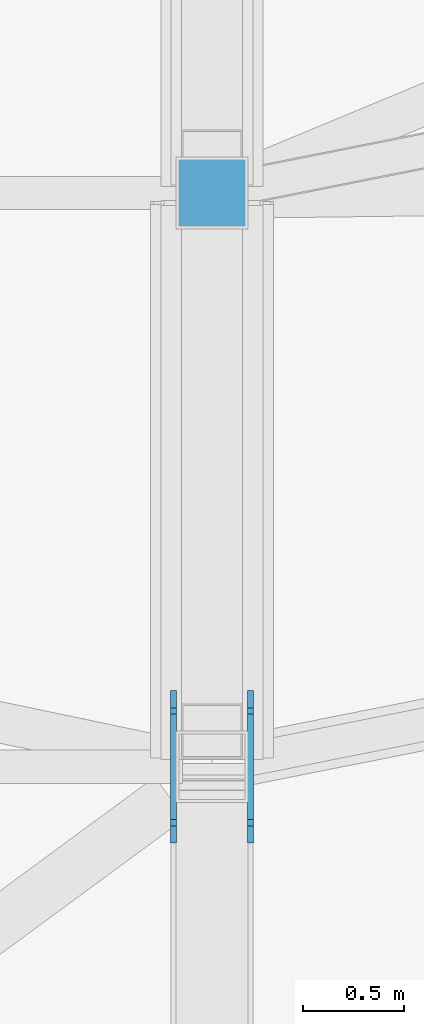
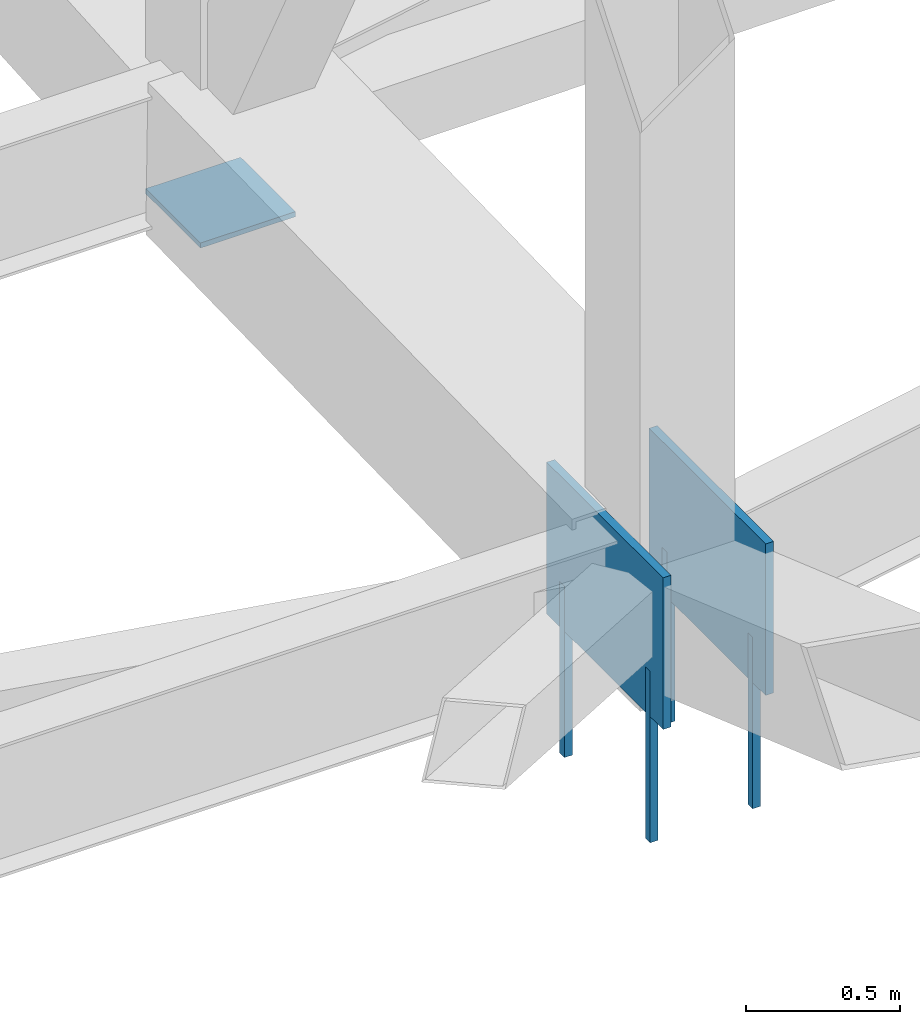
# One storey, part 146 of 278: 4 mechanical fasteners, 3 discrete accessories.
"""IFC4 building model written with IfcOpenShell, lengths in metres."""

import ifcopenshell
import ifcopenshell.guid

model = None  # the IFC model being written
_history = None  # IfcOwnerHistory: only IFC2X3 demands one
_inside = {}  # id of a spatial element -> (the spatial element, [elements in it])
_under = {}  # id of a project, library or spatial element -> (it, [spatial elements below it])
_declared = {}  # id of a project -> (the project, [libraries it declares])
_typed = {}  # id of a type object -> (the type object, [elements of that type])
_made_of = {}  # id of a material, layer set ... -> (it, [elements and type objects made of it])


def new_model(schema):
    """Start an empty IFC model of exactly this schema.

    Asked for "IFC4X3", IfcOpenShell would pick the latest addendum, in which some entities
    have other attributes; the version numbers below select the first issue.
    IFC2X3 requires an IfcOwnerHistory on every rooted entity: one is made here for all.
    """
    global model, _history
    if schema == "IFC4X3":
        model = ifcopenshell.file(schema_version=(4, 3, 0, 0))
    else:
        model = ifcopenshell.file(schema=schema)
    _inside.clear()
    _under.clear()
    _declared.clear()
    _typed.clear()
    _made_of.clear()
    _history = None
    if model.schema == "IFC2X3":
        org = make("IfcOrganization", Name="unknown")
        user = make(
            "IfcPersonAndOrganization",
            ThePerson=make("IfcPerson", FamilyName="unknown"),
            TheOrganization=org,
        )
        app = make(
            "IfcApplication",
            ApplicationDeveloper=org,
            Version="unknown",
            ApplicationFullName="unknown",
            ApplicationIdentifier="unknown",
        )
        _history = make(
            "IfcOwnerHistory",
            OwningUser=user,
            OwningApplication=app,
            ChangeAction="ADDED",
            CreationDate=0,
        )
    return model


def make(cls, **values):
    """One entity of the class cls with the attributes given. An attribute that is None is left unset."""
    return model.create_entity(
        cls, **{name: value for name, value in values.items() if value is not None}
    )


def rooted(cls, **values):
    """An entity with a GlobalId (a new one), such as an element, a storey or a relation."""
    return make(cls, GlobalId=ifcopenshell.guid.new(), OwnerHistory=_history, **values)


def si_unit(unit_type, name, prefix=None):
    """IfcSIUnit, for example si_unit("LENGTHUNIT", "METRE", prefix="MILLI")."""
    return make("IfcSIUnit", UnitType=unit_type, Prefix=prefix, Name=name)


def assignment(units):
    """IfcUnitAssignment: the units of a project."""
    return None if units is None else make("IfcUnitAssignment", Units=units)


def point(xyz):
    """IfcCartesianPoint."""
    return None if xyz is None else make("IfcCartesianPoint", Coordinates=xyz)


def direction(xyz):
    """IfcDirection."""
    return None if xyz is None else make("IfcDirection", DirectionRatios=xyz)


def frame(location, z_axis=None, x_axis=None):
    """IfcAxis2Placement3D, a coordinate frame: its origin and axes. An axis left out is left unset."""
    return make(
        "IfcAxis2Placement3D",
        Location=point(location),
        Axis=direction(z_axis),
        RefDirection=direction(x_axis),
    )


def frame_2d(location, x_axis=None):
    """IfcAxis2Placement2D, a coordinate frame in the plane: its origin and x axis."""
    return make(
        "IfcAxis2Placement2D", Location=point(location), RefDirection=direction(x_axis)
    )


def origin():
    """The frame at (0, 0, 0) with its axes left unset."""
    return frame((0.0, 0.0, 0.0))


def origin_2d():
    """The frame at (0, 0) in the plane with its x axis left unset."""
    return frame_2d((0.0, 0.0))


def place(relative_to, where):
    """IfcLocalPlacement: puts the frame where relative to a parent placement (None: the world)."""
    return make(
        "IfcLocalPlacement", PlacementRelTo=relative_to, RelativePlacement=where
    )


def context(
    kind, dimensions, precision=None, world=None, true_north=None, identifier=None
):
    """IfcGeometricRepresentationContext, for example the 3D "Model" context."""
    return make(
        "IfcGeometricRepresentationContext",
        ContextIdentifier=identifier,
        ContextType=kind,
        CoordinateSpaceDimension=dimensions,
        Precision=precision,
        WorldCoordinateSystem=world,
        TrueNorth=true_north,
    )


def subcontext(parent, identifier, kind, view, scale=None):
    """IfcGeometricRepresentationSubContext, for example "Body" below "Model"."""
    return make(
        "IfcGeometricRepresentationSubContext",
        ContextIdentifier=identifier,
        ContextType=kind,
        ParentContext=parent,
        TargetScale=scale,
        TargetView=view,
    )


def project(units=None, contexts=None):
    """IfcProject with its units and contexts."""
    return rooted(
        "IfcProject",
        Name="project",
        RepresentationContexts=contexts,
        UnitsInContext=assignment(units),
    )


def spatial(cls, under=None, at=None, **own):
    """A site, building, storey or space (cls), placed at a placement, below another one or the project."""
    s = rooted(cls, ObjectPlacement=at, **own)
    if under is not None:
        _under.setdefault(under.id(), (under, []))[1].append(s)
    return s


def profile(cls, at=None, kind="AREA", **sizes):
    """A parametric profile (cls). Its sizes go by their IFC names, for example OverallWidth=200.0."""
    return make(cls, ProfileType=kind, Position=at, **sizes)


def rectangle(**sizes):
    """IfcRectangleProfileDef."""
    return profile("IfcRectangleProfileDef", **sizes)


def extrude(swept, where, along, depth):
    """IfcExtrudedAreaSolid: the profile swept, set in the frame where, extruded along a direction by depth."""
    return make(
        "IfcExtrudedAreaSolid",
        SweptArea=swept,
        Position=where,
        ExtrudedDirection=direction(along),
        Depth=depth,
    )


def shape(context_of_items, identifier, shape_type, items):
    """IfcShapeRepresentation: the items that make up one representation, for example the "Body"."""
    return make(
        "IfcShapeRepresentation",
        ContextOfItems=context_of_items,
        RepresentationIdentifier=identifier,
        RepresentationType=shape_type,
        Items=items,
    )


def material(Name=None, Category=None):
    """IfcMaterial."""
    return make("IfcMaterial", Name=Name, Category=Category)


def layer(
    of_material, thickness, ventilated=None, Name=None, Category=None, Priority=None
):
    """IfcMaterialLayer: one layer of a wall or slab, of a material (None: an air gap)."""
    return make(
        "IfcMaterialLayer",
        Material=of_material,
        LayerThickness=thickness,
        IsVentilated=ventilated,
        Name=Name,
        Category=Category,
        Priority=Priority,
    )


def layer_set(layers, Name=None):
    """IfcMaterialLayerSet."""
    return make("IfcMaterialLayerSet", MaterialLayers=layers, LayerSetName=Name)


def made_of(thing, what):
    """Note that an element or type object is made of a material, layer set ...; save() writes the relation."""
    if what is not None:
        _made_of.setdefault(what.id(), (what, []))[1].append(thing)
    return thing


def type_object(cls, material=None, **own):
    """A type object (cls), such as IfcWallType, which elements share."""
    return made_of(rooted(cls, **own), material)


def element(
    cls,
    number,
    at=None,
    inside=None,
    cuts=None,
    type_object=None,
    material=None,
    context=None,
    identifier="Body",
    shape_type=None,
    held_by="IfcProductDefinitionShape",
    body=None,
    shapes=None,
    **own,
):
    """One element of the class cls, such as IfcWall. Its Tag is "e" and its number.

    at: its placement. inside: the storey or other place that contains it. cuts: it is an
    opening in that element (IfcRelVoidsElement). A single representation is given by context,
    identifier, shape_type and body (its items); several are given by shapes. held_by: the class
    of the entity that holds the representations. save() writes the other relations.
    """
    e = rooted(cls, Tag="e%d" % number, ObjectPlacement=at, **own)
    if body is not None:
        shapes = [shape(context, identifier, shape_type, body)]
    if shapes is not None:
        e.Representation = make(held_by, Representations=shapes)
    if inside is not None:
        _inside.setdefault(inside.id(), (inside, []))[1].append(e)
    if cuts is not None:
        rooted(
            "IfcRelVoidsElement", RelatingBuildingElement=cuts, RelatedOpeningElement=e
        )
    if type_object is not None:
        _typed.setdefault(type_object.id(), (type_object, []))[1].append(e)
    return made_of(e, material)


def aggregate(whole, parts):
    """IfcRelAggregates: a whole, such as a stair, and the parts it consists of."""
    return rooted("IfcRelAggregates", RelatingObject=whole, RelatedObjects=parts)


def save(model, path):
    """Write the relations noted so far, then the file.

    IfcRelAggregates (storeys below a building ...), IfcRelContainedInSpatialStructure (elements
    in a storey), IfcRelDefinesByType, IfcRelAssociatesMaterial and IfcRelDeclares: one each for
    every whole, place, type object, material and project.
    """
    for whole, parts in _under.values():
        aggregate(whole, parts)
    for where, things in _inside.values():
        rooted(
            "IfcRelContainedInSpatialStructure",
            RelatedElements=things,
            RelatingStructure=where,
        )
    for kind, things in _typed.values():
        rooted("IfcRelDefinesByType", RelatedObjects=things, RelatingType=kind)
    for what, things in _made_of.values():
        rooted("IfcRelAssociatesMaterial", RelatedObjects=things, RelatingMaterial=what)
    for by, libraries in _declared.values():
        rooted("IfcRelDeclares", RelatingContext=by, RelatedDefinitions=libraries)
    model.write(path)


model = new_model("IFC4")

# Units and contexts
model_context = context("Model", 3, precision=1e-05, world=origin(), true_north=direction((0.0, 1.0)))
body_context = subcontext(model_context, "Body", "Model", "MODEL_VIEW")
ifc_project = project(units=[si_unit("LENGTHUNIT", "METRE"), si_unit("AREAUNIT", "SQUARE_METRE"), si_unit("VOLUMEUNIT", "CUBIC_METRE"), si_unit("PLANEANGLEUNIT", "RADIAN"), si_unit("MASSUNIT", "GRAM", prefix="KILO")], contexts=[model_context])

# Site, building, storey
site_placement = place(None, origin())
site = spatial("IfcSite", under=ifc_project, at=site_placement, CompositionType="ELEMENT")
building_placement = place(site_placement, origin())
building = spatial("IfcBuilding", under=site, at=building_placement, Name="Ogive Plaza Stadium", CompositionType="ELEMENT")
storey_placement = place(building_placement, frame((0.0, 0.0, 29.0)))
storey = spatial("IfcBuildingStorey", under=building, at=storey_placement, Name="Roof", CompositionType="ELEMENT", Elevation=29.0)

# Mechanical fasteners
ifc_material_1 = material(Name="Steel ASTM A992 Grade 50", Category="steel")
mechanical_fastener_type = type_object("IfcMechanicalFastenerType", Name="Anchor bolt M30 x 600", PredefinedType="ANCHORBOLT", material=ifc_material_1)
for number, where, z_axis, x_axis, name in (
    (1, (34.19189453125, -92.77783203125, -0.5), (0.0, 0.0, 1.0), (0.0, -1.0, 0.0), "ANCHOR BOLT 12 BP 1.1"),
    (2, (34.19189453125, -92.22216796875, -0.5), (0.0, 0.0, 1.0), (0.0, -1.0, 0.0), "ANCHOR BOLT 12 BP 1.2"),
    (3, (33.80810546875, -92.77783203125, -0.5), (0.0, 0.0, 1.0), (0.0, -1.0, 0.0), "ANCHOR BOLT 12 BP 2.1"),
    (4, (33.80810546875, -92.22216796875, -0.5), (0.0, 0.0, 1.0), (0.0, -1.0, 0.0), "ANCHOR BOLT 12 BP 2.2"),
):
    element("IfcMechanicalFastener", number, at=place(storey_placement, frame(where, z_axis=z_axis, x_axis=x_axis)), inside=storey, type_object=mechanical_fastener_type, Name=name, PredefinedType="ANCHORBOLT", context=body_context, shape_type="SweptSolid", body=[
        extrude(rectangle(XDim=0.030029296875, YDim=0.030029296875, at=origin_2d()), origin(), (0.0, 0.0, 1.0), 0.679931640625),
    ])

# Discrete accessories
ifc_material_2 = material(Name="Steel ASTM A992 Grade 50", Category="steel")
ifc_layer_1 = layer(ifc_material_2, 0.02001953125)
ifc_layer_set_1 = layer_set([ifc_layer_1], Name="Steel ASTM A992 Grade 50")
discrete_accessory_type_1 = type_object("IfcDiscreteAccessoryType", Name="Roof truss post cap plate 20", PredefinedType="ANCHORPLATE", material=ifc_layer_set_1)
discrete_accessory_placement = place(storey_placement, frame((34.0, -89.64990234375, 0.04541015625), z_axis=(0.0, 0.0, 1.0), x_axis=(0.0, -1.0, 0.0)))
element("IfcDiscreteAccessory", 5, at=discrete_accessory_placement, inside=storey, type_object=discrete_accessory_type_1, Name="ROOF TRUSS POST CAP PLATE 12 10", PredefinedType="ANCHORPLATE", context=body_context, shape_type="SweptSolid", body=[
    extrude(rectangle(XDim=0.355712890625, YDim=0.355712890625, at=origin_2d()), origin(), (0.0, 0.0, 1.0), 0.02001953125),
])
ifc_material_3 = material(Name="Steel ASTM A992 Grade 50", Category="steel")
ifc_layer_2 = layer(ifc_material_3, 0.030029296875)
ifc_layer_set_2 = layer_set([ifc_layer_2], Name="Steel ASTM A992 Grade 50")
discrete_accessory_type_2 = type_object("IfcDiscreteAccessoryType", Name="Truss root foot cleat plate 30", PredefinedType="ANCHORPLATE", material=ifc_layer_set_2)
for number, where, z_axis, x_axis, name in (
    (6, (34.19189453125, -92.5, 0.0), (0.0, 0.0, 1.0), (0.0, -1.0, 0.0), "TRUSS ROOT FOOT CLEAT PLATE 12 1"),
    (7, (33.80810546875, -92.5, 0.0), (0.0, 0.0, 1.0), (0.0, -1.0, 0.0), "TRUSS ROOT FOOT CLEAT PLATE 12 2"),
):
    element("IfcDiscreteAccessory", number, at=place(storey_placement, frame(where, z_axis=z_axis, x_axis=x_axis)), inside=storey, type_object=discrete_accessory_type_2, Name=name, PredefinedType="ANCHORPLATE", context=body_context, shape_type="SweptSolid", body=[
        extrude(rectangle(XDim=0.755615234375, YDim=0.030029296875, at=origin_2d()), origin(), (0.0, 0.0, 1.0), 0.60009765625),
    ])

save(model, "model.ifc")
